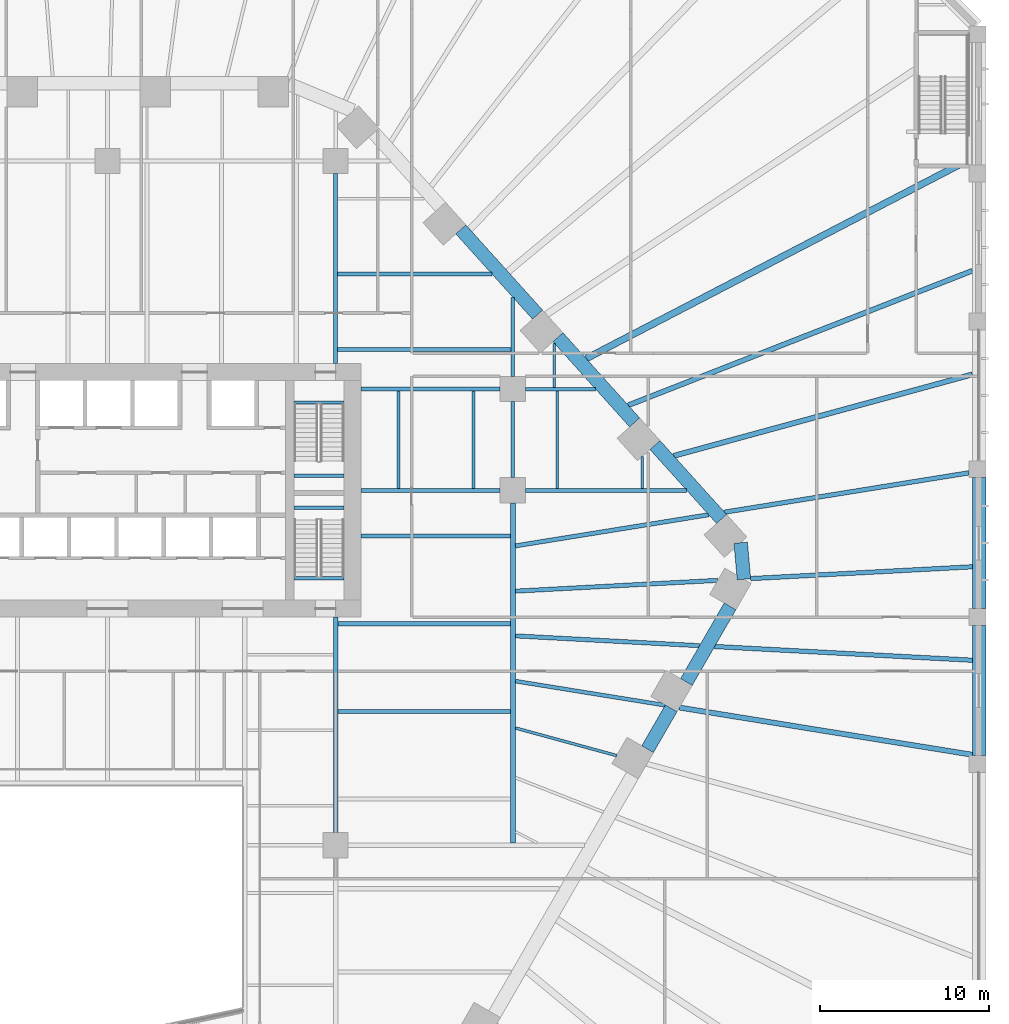
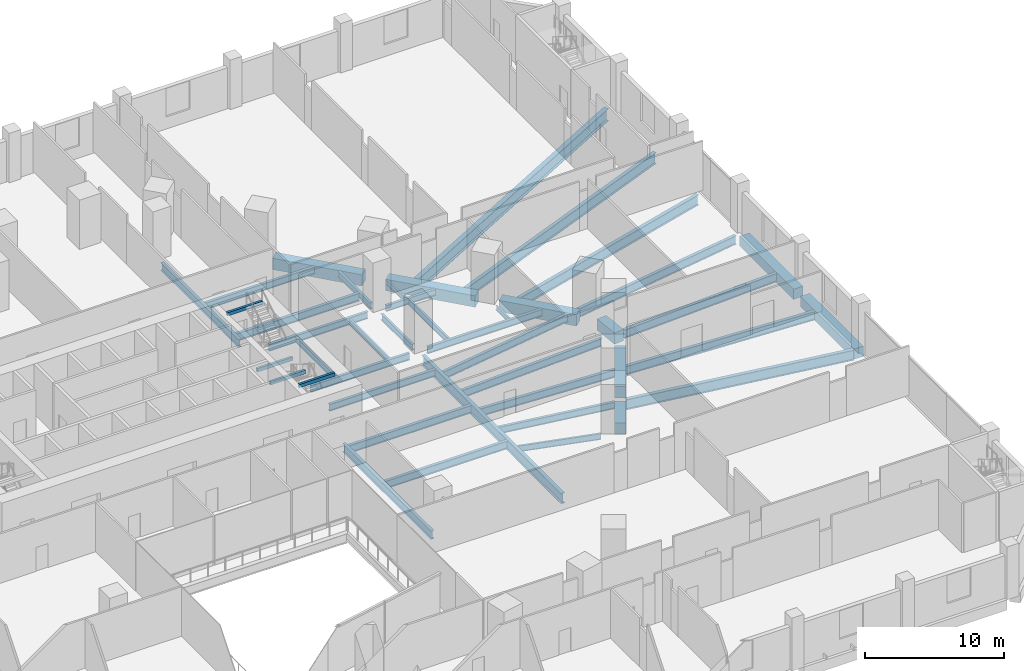
# One storey, part 9 of 33: 43 beams.
"""IFC4 building model written with IfcOpenShell, lengths in metres."""

from ifc_helpers import new_model, si_unit, direction, frame, origin, origin_2d, place, context, subcontext, project, spatial, rectangle, i_section, extrude, material, material_profile, profile_set, type_object, element, save


model = new_model("IFC4")

# Units and contexts
model_context = context("Model", 3, precision=1e-05, world=origin(), true_north=direction((0.0, 1.0)))
body_context = subcontext(model_context, "Body", "Model", "MODEL_VIEW")
ifc_project = project(units=[si_unit("LENGTHUNIT", "METRE"), si_unit("AREAUNIT", "SQUARE_METRE"), si_unit("VOLUMEUNIT", "CUBIC_METRE"), si_unit("PLANEANGLEUNIT", "RADIAN"), si_unit("MASSUNIT", "GRAM", prefix="KILO")], contexts=[model_context])

# Site, building, storey
site_placement = place(None, origin())
site = spatial("IfcSite", under=ifc_project, at=site_placement, CompositionType="ELEMENT")
building_placement = place(site_placement, origin())
building = spatial("IfcBuilding", under=site, at=building_placement, Name="Isthmus Gate Tower", CompositionType="ELEMENT")
storey_placement = place(building_placement, frame((0.0, 0.0, 31.5)))
storey = spatial("IfcBuildingStorey", under=building, at=storey_placement, Name="L05", CompositionType="ELEMENT", Elevation=31.5)

# Beams
ifc_material_1 = material(Name="Concrete f'c 70 MPa", Category="concrete")
ifc_material_profile_1 = material_profile(ifc_material_1, rectangle(XDim=0.800048828125, YDim=0.89990234375, at=origin_2d()), Name="RC 800X900")
ifc_profile_set_1 = profile_set([ifc_material_profile_1], Name="Concrete f'c 70 MPa")
beam_type_1 = type_object("IfcBeamType", Name="RC EDGE BEAM 800 X 900", PredefinedType="BEAM", material=ifc_profile_set_1)
beam_1_placement = place(storey_placement, frame((51.60009765625, 8.25, -0.75), z_axis=(0.0, -1.0, 0.0), x_axis=(1.0, 0.0, 0.0)))
element("IfcBeam", 1, at=beam_1_placement, inside=storey, type_object=beam_type_1, Name="str-edgebeam-L05-23", PredefinedType="BEAM", context=body_context, shape_type="SweptSolid", body=[
    extrude(rectangle(XDim=0.800048828125, YDim=0.89990234375, at=origin_2d()), origin(), (0.0, 0.0, 1.0), 7.75),
])
beam_2_placement = place(storey_placement, frame((51.60009765625, -0.5, -0.75), z_axis=(0.0, -1.0, 0.0), x_axis=(1.0, 0.0, 0.0)))
element("IfcBeam", 2, at=beam_2_placement, inside=storey, type_object=beam_type_1, Name="str-edgebeam-L05-24", PredefinedType="BEAM", context=body_context, shape_type="SweptSolid", body=[
    extrude(rectangle(XDim=0.800048828125, YDim=0.89990234375, at=origin_2d()), origin(), (0.0, 0.0, 1.0), 7.699951171875),
])
ifc_material_2 = material(Name="Concrete f'c 70 MPa", Category="concrete")
ifc_material_profile_2 = material_profile(ifc_material_2, rectangle(XDim=0.800048828125, YDim=1.0, at=origin_2d()), Name="RC 800X1000")
ifc_profile_set_2 = profile_set([ifc_material_profile_2], Name="Concrete f'c 70 MPa")
beam_type_2 = type_object("IfcBeamType", Name="RC TUBE RING BEAM 800 X 1000", PredefinedType="BEAM", material=ifc_profile_set_2)
beam_3_placement = place(storey_placement, frame((20.91748046875, 22.94921875, -0.800048828125), z_axis=(0.669135571547, -0.743140354772, 0.0), x_axis=(0.743140354772, 0.669135571547, 0.0)))
element("IfcBeam", 3, at=beam_3_placement, inside=storey, type_object=beam_type_2, Name="str-ringbeam-L05-02", PredefinedType="BEAM", context=body_context, shape_type="SweptSolid", body=[
    extrude(rectangle(XDim=0.800048828125, YDim=1.0, at=origin_2d()), origin(), (0.0, 0.0, 1.0), 6.789306640625),
])
beam_4_placement = place(storey_placement, frame((26.664794921875, 16.566162109375, -0.800048828125), z_axis=(0.669117690519, -0.743156454748, 0.0), x_axis=(0.743156454748, 0.669117690519, 0.0)))
element("IfcBeam", 4, at=beam_4_placement, inside=storey, type_object=beam_type_2, Name="str-ringbeam-L05-03", PredefinedType="BEAM", context=body_context, shape_type="SweptSolid", body=[
    extrude(rectangle(XDim=0.800048828125, YDim=1.0, at=origin_2d()), origin(), (0.0, 0.0, 1.0), 6.78955078125),
])
beam_5_placement = place(storey_placement, frame((32.412353515625, 10.182861328125, -0.800048828125), z_axis=(0.669138782017, -0.743137464001, 0.0), x_axis=(0.743137464001, 0.669138782017, 0.0)))
element("IfcBeam", 5, at=beam_5_placement, inside=storey, type_object=beam_type_2, Name="str-ringbeam-L05-04", PredefinedType="BEAM", context=body_context, shape_type="SweptSolid", body=[
    extrude(rectangle(XDim=0.800048828125, YDim=1.0, at=origin_2d()), origin(), (0.0, 0.0, 1.0), 5.88916015625),
])
beam_6_placement = place(storey_placement, frame((37.483154296875, 4.40185546875, -0.800048828125), z_axis=(0.089421511639, -0.995993872098, 0.0), x_axis=(0.995993872098, 0.089421511639, 0.0)))
element("IfcBeam", 6, at=beam_6_placement, inside=storey, type_object=beam_type_2, Name="str-ringbeam-L05-05", PredefinedType="BEAM", context=body_context, shape_type="SweptSolid", body=[
    extrude(rectangle(XDim=0.800048828125, YDim=1.0, at=origin_2d()), origin(), (0.0, 0.0, 1.0), 2.17333984375),
])
beam_7_placement = place(storey_placement, frame((36.8544921875, 0.6337890625, -0.800048828125), z_axis=(-0.50000453793, -0.866022783793, 0.0), x_axis=(0.866022783793, -0.50000453793, 0.0)))
element("IfcBeam", 7, at=beam_7_placement, inside=storey, type_object=beam_type_2, Name="str-ringbeam-L05-06", PredefinedType="BEAM", context=body_context, shape_type="SweptSolid", body=[
    extrude(rectangle(XDim=0.800048828125, YDim=1.0, at=origin_2d()), origin(), (0.0, 0.0, 1.0), 5.16943359375),
])
beam_8_placement = place(storey_placement, frame((33.369873046875, -5.40185546875, -0.800048828125), z_axis=(-0.500012514453, -0.866018178441, 0.0), x_axis=(0.866018178441, -0.500012514453, 0.0)))
element("IfcBeam", 8, at=beam_8_placement, inside=storey, type_object=beam_type_2, Name="str-ringbeam-L05-07", PredefinedType="BEAM", context=body_context, shape_type="SweptSolid", body=[
    extrude(rectangle(XDim=0.800048828125, YDim=1.0, at=origin_2d()), origin(), (0.0, 0.0, 1.0), 2.79296875),
])
ifc_material_3 = material(Name="Concrete f'c 40 MPa", Category="concrete")
ifc_material_profile_3 = material_profile(ifc_material_3, rectangle(XDim=0.199951171875, YDim=0.300048828125, at=origin_2d()), Name="STAIR LANDING BEAM RC 200 X 300")
ifc_profile_set_3 = profile_set([ifc_material_profile_3], Name="Concrete f'c 40 MPa")
beam_type_3 = type_object("IfcBeamType", Name="STAIR LANDING BEAM RC 200 X 300", PredefinedType="BEAM", material=ifc_profile_set_3)
for number, where, z_axis, x_axis, name in (
    (9, (11.050048828125, 8.3701171875, 1.89990234375), (1.0, 0.0, 0.0), (0.0, 1.0, 0.0), "L05 ST2 landing beam 1"),
    (10, (11.050048828125, 12.7001953125, 4.199951171875), (1.0, 0.0, 0.0), (0.0, 1.0, 0.0), "L05 ST2 floor-edge seat beam"),
    (11, (11.050048828125, 6.47998046875, 1.89990234375), (1.0, 0.0, 0.0), (0.0, 1.0, 0.0), "L05 ST8 landing beam 1"),
    (12, (11.050048828125, 2.2998046875, 4.199951171875), (1.0, 0.0, 0.0), (0.0, 1.0, 0.0), "L05 ST8 floor-edge seat beam"),
):
    element("IfcBeam", number, at=place(storey_placement, frame(where, z_axis=z_axis, x_axis=x_axis)), inside=storey, type_object=beam_type_3, Name=name, PredefinedType="BEAM", context=body_context, shape_type="SweptSolid", body=[
        extrude(rectangle(XDim=0.199951171875, YDim=0.300048828125, at=origin_2d()), origin(), (0.0, 0.0, 1.0), 2.949951171875),
    ])
ifc_material_4 = material(Name="Structural steel ASTM A992 Gr 50", Category="steel")
ifc_material_profile_4 = material_profile(ifc_material_4, i_section(OverallWidth=0.1396484375, OverallDepth=0.4033203125, WebThickness=0.00634765625, FlangeThickness=0.010986328125, at=origin_2d()), Name="W16X31")
ifc_profile_set_4 = profile_set([ifc_material_profile_4], Name="Structural steel ASTM A992 Gr 50")
beam_type_4 = type_object("IfcBeamType", Name="STEEL FLOOR BEAM W16X31", PredefinedType="JOIST", material=ifc_profile_set_4)
beam_9_placement = place(storey_placement, frame((26.448974609375, 13.604736328125, -0.501708984375), z_axis=(0.0, 1.0, 0.0), x_axis=(-1.0, 0.0, 0.0)))
element("IfcBeam", 13, at=beam_9_placement, inside=storey, type_object=beam_type_4, Name="str-beam-L05-33-00", PredefinedType="JOIST", context=body_context, shape_type="SweptSolid", body=[
    extrude(i_section(OverallWidth=0.1396484375, OverallDepth=0.4033203125, WebThickness=0.00634765625, FlangeThickness=0.010986328125, at=origin_2d()), origin(), (0.0, 0.0, 1.0), 2.603515625),
])
beam_10_placement = place(storey_placement, frame((31.666259765625, 7.6142578125, -0.501708984375), z_axis=(0.0, 1.0, 0.0), x_axis=(-1.0, 0.0, 0.0)))
element("IfcBeam", 14, at=beam_10_placement, inside=storey, type_object=beam_type_4, Name="str-beam-L05-34-01", PredefinedType="JOIST", context=body_context, shape_type="SweptSolid", body=[
    extrude(i_section(OverallWidth=0.1396484375, OverallDepth=0.4033203125, WebThickness=0.00634765625, FlangeThickness=0.010986328125, at=origin_2d()), origin(), (0.0, 0.0, 1.0), 1.89697265625),
])
ifc_material_5 = material(Name="Structural steel ASTM A992 Gr 50", Category="steel")
ifc_material_profile_5 = material_profile(ifc_material_5, i_section(OverallWidth=0.1650390625, OverallDepth=0.52392578125, WebThickness=0.009521484375, FlangeThickness=0.010986328125, at=origin_2d()), Name="W21X44")
ifc_profile_set_5 = profile_set([ifc_material_profile_5], Name="Structural steel ASTM A992 Gr 50")
beam_type_5 = type_object("IfcBeamType", Name="STEEL FLOOR BEAM W21X44", PredefinedType="JOIST", material=ifc_profile_set_5)
beam_11_placement = place(storey_placement, frame((24.15234375, -6.56787109375, -0.56201171875), z_axis=(0.964775626136, -0.26307411734, 0.0), x_axis=(0.26307411734, 0.964775626136, 0.0)))
element("IfcBeam", 15, at=beam_11_placement, inside=storey, type_object=beam_type_5, Name="str-beam-L05-19-67", PredefinedType="JOIST", context=body_context, shape_type="SweptSolid", body=[
    extrude(i_section(OverallWidth=0.1650390625, OverallDepth=0.52392578125, WebThickness=0.009521484375, FlangeThickness=0.010986328125, at=origin_2d()), origin(), (0.0, 0.0, 1.0), 6.203857421875),
])
for number, where, z_axis, x_axis, name in (
    (16, (17.223876953125, 7.6142578125, -0.56201171875), (0.0, 1.0, 0.0), (-1.0, 0.0, 0.0), "str-beam-L05-32-00"),
    (17, (21.67138671875, 7.6142578125, -0.56201171875), (0.0, 1.0, 0.0), (-1.0, 0.0, 0.0), "str-beam-L05-32-01"),
):
    element("IfcBeam", number, at=place(storey_placement, frame(where, z_axis=z_axis, x_axis=x_axis)), inside=storey, type_object=beam_type_5, Name=name, PredefinedType="JOIST", context=body_context, shape_type="SweptSolid", body=[
        extrude(i_section(OverallWidth=0.1650390625, OverallDepth=0.52392578125, WebThickness=0.009521484375, FlangeThickness=0.010986328125, at=origin_2d()), origin(), (0.0, 0.0, 1.0), 5.771484375),
    ])
beam_12_placement = place(storey_placement, frame((26.625244140625, 7.6142578125, -0.56201171875), z_axis=(0.0, 1.0, 0.0), x_axis=(-1.0, 0.0, 0.0)))
element("IfcBeam", 18, at=beam_12_placement, inside=storey, type_object=beam_type_5, Name="str-beam-L05-34-00", PredefinedType="JOIST", context=body_context, shape_type="SweptSolid", body=[
    extrude(i_section(OverallWidth=0.1650390625, OverallDepth=0.52392578125, WebThickness=0.009521484375, FlangeThickness=0.010986328125, at=origin_2d()), origin(), (0.0, 0.0, 1.0), 5.781005859375),
])
ifc_material_6 = material(Name="Structural steel ASTM A992 Gr 50", Category="steel")
ifc_material_profile_6 = material_profile(ifc_material_6, i_section(OverallWidth=0.228515625, OverallDepth=0.603271484375, WebThickness=0.010986328125, FlangeThickness=0.014404296875, at=origin_2d()), Name="W24X68")
ifc_profile_set_6 = profile_set([ifc_material_profile_6], Name="Structural steel ASTM A992 Gr 50")
beam_type_6 = type_object("IfcBeamType", Name="STEEL FLOOR BEAM W24X68", PredefinedType="JOIST", material=ifc_profile_set_6)
beam_13_placement = place(storey_placement, frame((24.15234375, -3.794189453125, -0.6015625), z_axis=(0.98727131628, -0.159045113257, 0.0), x_axis=(0.159045113257, 0.98727131628, 0.0)))
element("IfcBeam", 19, at=beam_13_placement, inside=storey, type_object=beam_type_6, Name="str-beam-L05-19-69", PredefinedType="JOIST", context=body_context, shape_type="SweptSolid", body=[
    extrude(i_section(OverallWidth=0.228515625, OverallDepth=0.603271484375, WebThickness=0.010986328125, FlangeThickness=0.014404296875, at=origin_2d()), origin(), (0.0, 0.0, 1.0), 8.973876953125),
])
beam_14_placement = place(storey_placement, frame((13.626953125, 20.30712890625, -0.6015625), z_axis=(1.0, 0.0, 0.0), x_axis=(0.0, 1.0, 0.0)))
element("IfcBeam", 20, at=beam_14_placement, inside=storey, type_object=beam_type_6, Name="str-beam-L05-29-01", PredefinedType="JOIST", context=body_context, shape_type="SweptSolid", body=[
    extrude(i_section(OverallWidth=0.228515625, OverallDepth=0.603271484375, WebThickness=0.010986328125, FlangeThickness=0.014404296875, at=origin_2d()), origin(), (0.0, 0.0, 1.0), 9.131103515625),
])
beam_15_placement = place(storey_placement, frame((15.0, 4.791748046875, -0.6015625), z_axis=(1.0, 0.0, 0.0), x_axis=(0.0, 1.0, 0.0)))
element("IfcBeam", 21, at=beam_15_placement, inside=storey, type_object=beam_type_6, Name="str-beam-L05-30-03", PredefinedType="JOIST", context=body_context, shape_type="SweptSolid", body=[
    extrude(i_section(OverallWidth=0.228515625, OverallDepth=0.603271484375, WebThickness=0.010986328125, FlangeThickness=0.014404296875, at=origin_2d()), origin(), (0.0, 0.0, 1.0), 8.84765625),
])
ifc_material_7 = material(Name="Structural steel ASTM A992 Gr 50", Category="steel")
ifc_material_profile_7 = material_profile(ifc_material_7, i_section(OverallWidth=0.25390625, OverallDepth=0.679443359375, WebThickness=0.010986328125, FlangeThickness=0.015869140625, at=origin_2d()), Name="W27X84")
ifc_profile_set_7 = profile_set([ifc_material_profile_7], Name="Structural steel ASTM A992 Gr 50")
beam_type_7 = type_object("IfcBeamType", Name="STEEL FLOOR BEAM W27X84", PredefinedType="JOIST", material=ifc_profile_set_7)
beam_16_placement = place(storey_placement, frame((24.15234375, 1.534912109375, -0.6396484375), z_axis=(0.998582796279, 0.053220287265, 0.0), x_axis=(-0.053220287265, 0.998582796279, 0.0)))
element("IfcBeam", 22, at=beam_16_placement, inside=storey, type_object=beam_type_7, Name="str-beam-L05-19-00", PredefinedType="JOIST", context=body_context, shape_type="SweptSolid", body=[
    extrude(i_section(OverallWidth=0.25390625, OverallDepth=0.679443359375, WebThickness=0.010986328125, FlangeThickness=0.015869140625, at=origin_2d()), origin(), (0.0, 0.0, 1.0), 11.991455078125),
])
beam_17_placement = place(storey_placement, frame((24.15234375, 4.214599609375, -0.6396484375), z_axis=(0.987269213365, 0.159058166537, 0.0), x_axis=(-0.159058166537, 0.987269213365, 0.0)))
element("IfcBeam", 23, at=beam_17_placement, inside=storey, type_object=beam_type_7, Name="str-beam-L05-19-02", PredefinedType="JOIST", context=body_context, shape_type="SweptSolid", body=[
    extrude(i_section(OverallWidth=0.25390625, OverallDepth=0.679443359375, WebThickness=0.010986328125, FlangeThickness=0.015869140625, at=origin_2d()), origin(), (0.0, 0.0, 1.0), 11.583984375),
])
beam_18_placement = place(storey_placement, frame((24.15234375, -1.114501953125, -0.6396484375), z_axis=(0.998583373886, -0.053209448398, 0.0), x_axis=(0.053209448398, 0.998583373886, 0.0)))
element("IfcBeam", 24, at=beam_18_placement, inside=storey, type_object=beam_type_7, Name="str-beam-L05-19-71", PredefinedType="JOIST", context=body_context, shape_type="SweptSolid", body=[
    extrude(i_section(OverallWidth=0.25390625, OverallDepth=0.679443359375, WebThickness=0.010986328125, FlangeThickness=0.015869140625, at=origin_2d()), origin(), (0.0, 0.0, 1.0), 10.910888671875),
])
beam_19_placement = place(storey_placement, frame((13.626953125, 15.84521484375, -0.6396484375), z_axis=(1.0, 0.0, 0.0), x_axis=(0.0, 1.0, 0.0)))
element("IfcBeam", 25, at=beam_19_placement, inside=storey, type_object=beam_type_7, Name="str-beam-L05-29-00", PredefinedType="JOIST", context=body_context, shape_type="SweptSolid", body=[
    extrude(i_section(OverallWidth=0.25390625, OverallDepth=0.679443359375, WebThickness=0.010986328125, FlangeThickness=0.015869140625, at=origin_2d()), origin(), (0.0, 0.0, 1.0), 10.268310546875),
])
for number, where, z_axis, x_axis, name in (
    (26, (13.6318359375, -5.58447265625, -0.6396484375), (1.0, 0.0, 0.0), (0.0, 1.0, 0.0), "str-beam-L05-30-01"),
    (27, (13.6318359375, -0.396484375, -0.6396484375), (1.0, 0.0, 0.0), (0.0, 1.0, 0.0), "str-beam-L05-30-02"),
):
    element("IfcBeam", number, at=place(storey_placement, frame(where, z_axis=z_axis, x_axis=x_axis)), inside=storey, type_object=beam_type_7, Name=name, PredefinedType="JOIST", context=body_context, shape_type="SweptSolid", body=[
        extrude(i_section(OverallWidth=0.25390625, OverallDepth=0.679443359375, WebThickness=0.010986328125, FlangeThickness=0.015869140625, at=origin_2d()), origin(), (0.0, 0.0, 1.0), 10.2158203125),
    ])
ifc_material_8 = material(Name="Structural steel ASTM A992 Gr 50", Category="steel")
ifc_material_profile_8 = material_profile(ifc_material_8, i_section(OverallWidth=0.2666015625, OverallDepth=0.7587890625, WebThickness=0.014404296875, FlangeThickness=0.01904296875, at=origin_2d()), Name="W30X108")
ifc_profile_set_8 = profile_set([ifc_material_profile_8], Name="Structural steel ASTM A992 Gr 50")
beam_type_8 = type_object("IfcBeamType", Name="STEEL FLOOR BEAM W30X108", PredefinedType="JOIST", material=ifc_profile_set_8)
beam_20_placement = place(storey_placement, frame((36.529052734375, 6.208740234375, -0.679443359375), z_axis=(0.987267713059, 0.159067478611, 0.0), x_axis=(-0.159067478611, 0.987267713059, 0.0)))
element("IfcBeam", 28, at=beam_20_placement, inside=storey, type_object=beam_type_8, Name="str-beam-L05-19-03", PredefinedType="JOIST", context=body_context, shape_type="SweptSolid", body=[
    extrude(i_section(OverallWidth=0.2666015625, OverallDepth=0.7587890625, WebThickness=0.014404296875, FlangeThickness=0.01904296875, at=origin_2d()), origin(), (0.0, 0.0, 1.0), 14.657470703125),
])
beam_21_placement = place(storey_placement, frame((35.944091796875, -1.742919921875, -0.679443359375), z_axis=(0.99858309274, -0.053214724408, 0.0), x_axis=(0.053214724408, 0.99858309274, 0.0)))
element("IfcBeam", 29, at=beam_21_placement, inside=storey, type_object=beam_type_8, Name="str-beam-L05-19-72", PredefinedType="JOIST", context=body_context, shape_type="SweptSolid", body=[
    extrude(i_section(OverallWidth=0.2666015625, OverallDepth=0.7587890625, WebThickness=0.014404296875, FlangeThickness=0.01904296875, at=origin_2d()), origin(), (0.0, 0.0, 1.0), 15.277587890625),
])
ifc_material_9 = material(Name="Structural steel ASTM A992 Gr 50", Category="steel")
ifc_material_profile_9 = material_profile(ifc_material_9, i_section(OverallWidth=0.263427734375, OverallDepth=0.749267578125, WebThickness=0.0126953125, FlangeThickness=0.015869140625, at=origin_2d()), Name="W30X90")
ifc_profile_set_9 = profile_set([ifc_material_profile_9], Name="Structural steel ASTM A992 Gr 50")
beam_type_9 = type_object("IfcBeamType", Name="STEEL FLOOR BEAM W30X90", PredefinedType="JOIST", material=ifc_profile_set_9)
beam_22_placement = place(storey_placement, frame((38.075439453125, 2.277099609375, -0.674560546875), z_axis=(0.998582871897, 0.05321886841, 0.0), x_axis=(-0.05321886841, 0.998582871897, 0.0)))
element("IfcBeam", 30, at=beam_22_placement, inside=storey, type_object=beam_type_9, Name="str-beam-L05-19-01", PredefinedType="JOIST", context=body_context, shape_type="SweptSolid", body=[
    extrude(i_section(OverallWidth=0.263427734375, OverallDepth=0.749267578125, WebThickness=0.0126953125, FlangeThickness=0.015869140625, at=origin_2d()), origin(), (0.0, 0.0, 1.0), 13.14306640625),
])
ifc_material_10 = material(Name="Structural steel ASTM A992 Gr 50", Category="steel")
ifc_material_profile_10 = material_profile(ifc_material_10, i_section(OverallWidth=0.3046875, OverallDepth=0.901611328125, WebThickness=0.015869140625, FlangeThickness=0.0205078125, at=origin_2d()), Name="W36X135")
ifc_profile_set_10 = profile_set([ifc_material_profile_10], Name="Structural steel ASTM A992 Gr 50")
beam_type_10 = type_object("IfcBeamType", Name="STEEL FLOOR BEAM W36X135", PredefinedType="JOIST", material=ifc_profile_set_10)
beam_23_placement = place(storey_placement, frame((33.525390625, 9.54443359375, -0.750732421875), z_axis=(0.964767511541, 0.263103874306, 0.0), x_axis=(-0.263103874306, 0.964767511541, 0.0)))
element("IfcBeam", 31, at=beam_23_placement, inside=storey, type_object=beam_type_10, Name="str-beam-L05-19-04", PredefinedType="JOIST", context=body_context, shape_type="SweptSolid", body=[
    extrude(i_section(OverallWidth=0.3046875, OverallDepth=0.901611328125, WebThickness=0.015869140625, FlangeThickness=0.0205078125, at=origin_2d()), origin(), (0.0, 0.0, 1.0), 18.320068359375),
])
beam_24_placement = place(storey_placement, frame((33.857177734375, -5.357666015625, -0.750732421875), z_axis=(0.987268240171, -0.159064207004, 0.0), x_axis=(0.159064207004, 0.987268240171, 0.0)))
element("IfcBeam", 32, at=beam_24_placement, inside=storey, type_object=beam_type_10, Name="str-beam-L05-19-70", PredefinedType="JOIST", context=body_context, shape_type="SweptSolid", body=[
    extrude(i_section(OverallWidth=0.3046875, OverallDepth=0.901611328125, WebThickness=0.015869140625, FlangeThickness=0.0205078125, at=origin_2d()), origin(), (0.0, 0.0, 1.0), 17.56640625),
])
ifc_material_11 = material(Name="Structural steel ASTM A992 Gr 50", Category="steel")
ifc_material_profile_11 = material_profile(ifc_material_11, i_section(OverallWidth=0.29833984375, OverallDepth=0.981201171875, WebThickness=0.015869140625, FlangeThickness=0.025390625, at=origin_2d()), Name="W40X167")
ifc_profile_set_11 = profile_set([ifc_material_profile_11], Name="Structural steel ASTM A992 Gr 50")
beam_type_11 = type_object("IfcBeamType", Name="STEEL FLOOR BEAM W40X167", PredefinedType="JOIST", material=ifc_profile_set_11)
beam_25_placement = place(storey_placement, frame((30.8291015625, 12.5390625, -0.79052734375), z_axis=(0.931333820362, 0.364166603424, 0.0), x_axis=(-0.364166603424, 0.931333820362, 0.0)))
element("IfcBeam", 33, at=beam_25_placement, inside=storey, type_object=beam_type_11, Name="str-beam-L05-19-05", PredefinedType="JOIST", context=body_context, shape_type="SweptSolid", body=[
    extrude(i_section(OverallWidth=0.29833984375, OverallDepth=0.981201171875, WebThickness=0.015869140625, FlangeThickness=0.025390625, at=origin_2d()), origin(), (0.0, 0.0, 1.0), 21.872802734375),
])
ifc_material_12 = material(Name="Structural steel ASTM A992 Gr 50", Category="steel")
ifc_material_profile_12 = material_profile(ifc_material_12, i_section(OverallWidth=0.39990234375, OverallDepth=1.089111328125, WebThickness=0.017578125, FlangeThickness=0.03173828125, at=origin_2d()), Name="W44X230")
ifc_profile_set_12 = profile_set([ifc_material_profile_12], Name="Structural steel ASTM A992 Gr 50")
beam_type_12 = type_object("IfcBeamType", Name="STEEL FLOOR BEAM W44X230", PredefinedType="JOIST", material=ifc_profile_set_12)
beam_26_placement = place(storey_placement, frame((28.34130859375, 15.302001953125, -0.844482421875), z_axis=(0.887352469362, 0.461091742624, 0.0), x_axis=(-0.461091742624, 0.887352469362, 0.0)))
element("IfcBeam", 34, at=beam_26_placement, inside=storey, type_object=beam_type_12, Name="str-beam-L05-19-06", PredefinedType="JOIST", context=body_context, shape_type="SweptSolid", body=[
    extrude(i_section(OverallWidth=0.39990234375, OverallDepth=1.089111328125, WebThickness=0.017578125, FlangeThickness=0.03173828125, at=origin_2d()), origin(), (0.0, 0.0, 1.0), 25.478759765625),
])
ifc_material_13 = material(Name="Structural steel ASTM A992 Gr 50", Category="steel")
ifc_material_profile_13 = material_profile(ifc_material_13, i_section(OverallWidth=0.20947265625, OverallDepth=0.533447265625, WebThickness=0.009521484375, FlangeThickness=0.015869140625, at=origin_2d()), Name="W21X62")
ifc_profile_set_13 = profile_set([ifc_material_profile_13], Name="Structural steel ASTM A992 Gr 50")
beam_type_13 = type_object("IfcBeamType", Name="STEEL GIRDER W21X62", PredefinedType="BEAM", material=ifc_profile_set_13)
beam_27_placement = place(storey_placement, frame((24.75, 13.5, -0.566650390625), z_axis=(1.0, 0.0, 0.0), x_axis=(0.0, 1.0, 0.0)))
element("IfcBeam", 35, at=beam_27_placement, inside=storey, type_object=beam_type_13, Name="str-girder-L05-15", PredefinedType="BEAM", context=body_context, shape_type="SweptSolid", body=[
    extrude(i_section(OverallWidth=0.20947265625, OverallDepth=0.533447265625, WebThickness=0.009521484375, FlangeThickness=0.015869140625, at=origin_2d()), origin(), (0.0, 0.0, 1.0), 4.13720703125),
])
beam_28_placement = place(storey_placement, frame((24.0, 8.25, -0.566650390625), z_axis=(0.0, 1.0, 0.0), x_axis=(-1.0, 0.0, 0.0)))
element("IfcBeam", 36, at=beam_28_placement, inside=storey, type_object=beam_type_13, Name="str-girder-L05-36", PredefinedType="BEAM", context=body_context, shape_type="SweptSolid", body=[
    extrude(i_section(OverallWidth=0.20947265625, OverallDepth=0.533447265625, WebThickness=0.009521484375, FlangeThickness=0.015869140625, at=origin_2d()), origin(), (0.0, 0.0, 1.0), 4.5),
])
beam_29_placement = place(storey_placement, frame((24.0, 14.25, -0.566650390625), z_axis=(0.0, 1.0, 0.0), x_axis=(-1.0, 0.0, 0.0)))
element("IfcBeam", 37, at=beam_29_placement, inside=storey, type_object=beam_type_13, Name="str-girder-L05-37", PredefinedType="BEAM", context=body_context, shape_type="SweptSolid", body=[
    extrude(i_section(OverallWidth=0.20947265625, OverallDepth=0.533447265625, WebThickness=0.009521484375, FlangeThickness=0.015869140625, at=origin_2d()), origin(), (0.0, 0.0, 1.0), 4.677978515625),
])
ifc_material_14 = material(Name="Structural steel ASTM A992 Gr 50", Category="steel")
ifc_material_profile_14 = material_profile(ifc_material_14, i_section(OverallWidth=0.228515625, OverallDepth=0.6064453125, WebThickness=0.010986328125, FlangeThickness=0.017578125, at=origin_2d()), Name="W24X76")
ifc_profile_set_14 = profile_set([ifc_material_profile_14], Name="Structural steel ASTM A992 Gr 50")
beam_type_14 = type_object("IfcBeamType", Name="STEEL GIRDER W24X76", PredefinedType="BEAM", material=ifc_profile_set_14)
beam_30_placement = place(storey_placement, frame((15.0, 7.5, -0.603271484375), z_axis=(1.0, 0.0, 0.0), x_axis=(0.0, 1.0, 0.0)))
element("IfcBeam", 38, at=beam_30_placement, inside=storey, type_object=beam_type_14, Name="str-girder-L05-11", PredefinedType="BEAM", context=body_context, shape_type="SweptSolid", body=[
    extrude(i_section(OverallWidth=0.228515625, OverallDepth=0.6064453125, WebThickness=0.010986328125, FlangeThickness=0.017578125, at=origin_2d()), origin(), (0.0, 0.0, 1.0), 8.25),
])
beam_31_placement = place(storey_placement, frame((24.75, 7.5, -0.603271484375), z_axis=(1.0, 0.0, 0.0), x_axis=(0.0, 1.0, 0.0)))
element("IfcBeam", 39, at=beam_31_placement, inside=storey, type_object=beam_type_14, Name="str-girder-L05-12", PredefinedType="BEAM", context=body_context, shape_type="SweptSolid", body=[
    extrude(i_section(OverallWidth=0.228515625, OverallDepth=0.6064453125, WebThickness=0.010986328125, FlangeThickness=0.017578125, at=origin_2d()), origin(), (0.0, 0.0, 1.0), 9.539794921875),
])
beam_32_placement = place(storey_placement, frame((15.0, 13.5, -0.603271484375), z_axis=(1.0, 0.0, 0.0), x_axis=(0.0, 1.0, 0.0)))
element("IfcBeam", 40, at=beam_32_placement, inside=storey, type_object=beam_type_14, Name="str-girder-L05-14", PredefinedType="BEAM", context=body_context, shape_type="SweptSolid", body=[
    extrude(i_section(OverallWidth=0.228515625, OverallDepth=0.6064453125, WebThickness=0.010986328125, FlangeThickness=0.017578125, at=origin_2d()), origin(), (0.0, 0.0, 1.0), 8.25),
])
ifc_material_15 = material(Name="Structural steel ASTM A992 Gr 50", Category="steel")
ifc_material_profile_15 = material_profile(ifc_material_15, i_section(OverallWidth=0.25390625, OverallDepth=0.679443359375, WebThickness=0.010986328125, FlangeThickness=0.015869140625, at=origin_2d()), Name="W27X84")
ifc_profile_set_15 = profile_set([ifc_material_profile_15], Name="Structural steel ASTM A992 Gr 50")
beam_type_15 = type_object("IfcBeamType", Name="STEEL GIRDER W27X84", PredefinedType="BEAM", material=ifc_profile_set_15)
beam_33_placement = place(storey_placement, frame((13.5, 15.0, -0.6396484375), z_axis=(0.0, 1.0, 0.0), x_axis=(-1.0, 0.0, 0.0)))
element("IfcBeam", 41, at=beam_33_placement, inside=storey, type_object=beam_type_15, Name="str-girder-L05-33", PredefinedType="BEAM", context=body_context, shape_type="SweptSolid", body=[
    extrude(i_section(OverallWidth=0.25390625, OverallDepth=0.679443359375, WebThickness=0.010986328125, FlangeThickness=0.015869140625, at=origin_2d()), origin(), (0.0, 0.0, 1.0), 11.25),
])
ifc_material_16 = material(Name="Structural steel ASTM A992 Gr 50", Category="steel")
ifc_material_profile_16 = material_profile(ifc_material_16, i_section(OverallWidth=0.263427734375, OverallDepth=0.749267578125, WebThickness=0.0126953125, FlangeThickness=0.015869140625, at=origin_2d()), Name="W30X90")
ifc_profile_set_16 = profile_set([ifc_material_profile_16], Name="Structural steel ASTM A992 Gr 50")
beam_type_16 = type_object("IfcBeamType", Name="STEEL GIRDER W30X90", PredefinedType="BEAM", material=ifc_profile_set_16)
beam_34_placement = place(storey_placement, frame((13.5, -12.75, -0.674560546875), z_axis=(0.0, 1.0, 0.0), x_axis=(-1.0, 0.0, 0.0)))
element("IfcBeam", 42, at=beam_34_placement, inside=storey, type_object=beam_type_16, Name="str-girder-L05-32", PredefinedType="BEAM", context=body_context, shape_type="SweptSolid", body=[
    extrude(i_section(OverallWidth=0.263427734375, OverallDepth=0.749267578125, WebThickness=0.0126953125, FlangeThickness=0.015869140625, at=origin_2d()), origin(), (0.0, 0.0, 1.0), 12.75),
])
ifc_material_17 = material(Name="Structural steel ASTM A992 Gr 50", Category="steel")
ifc_material_profile_17 = material_profile(ifc_material_17, i_section(OverallWidth=0.3046875, OverallDepth=0.914306640625, WebThickness=0.015869140625, FlangeThickness=0.025390625, at=origin_2d()), Name="W36X160")
ifc_profile_set_17 = profile_set([ifc_material_profile_17], Name="Structural steel ASTM A992 Gr 50")
beam_type_17 = type_object("IfcBeamType", Name="STEEL GIRDER W36X160", PredefinedType="BEAM", material=ifc_profile_set_17)
beam_35_placement = place(storey_placement, frame((24.0, -13.36669921875, -0.757080078125), z_axis=(0.0, 1.0, 0.0), x_axis=(-1.0, 0.0, 0.0)))
element("IfcBeam", 43, at=beam_35_placement, inside=storey, type_object=beam_type_17, Name="str-girder-L05-35", PredefinedType="BEAM", context=body_context, shape_type="SweptSolid", body=[
    extrude(i_section(OverallWidth=0.3046875, OverallDepth=0.914306640625, WebThickness=0.015869140625, FlangeThickness=0.025390625, at=origin_2d()), origin(), (0.0, 0.0, 1.0), 20.11669921875),
])

save(model, "model.ifc")
